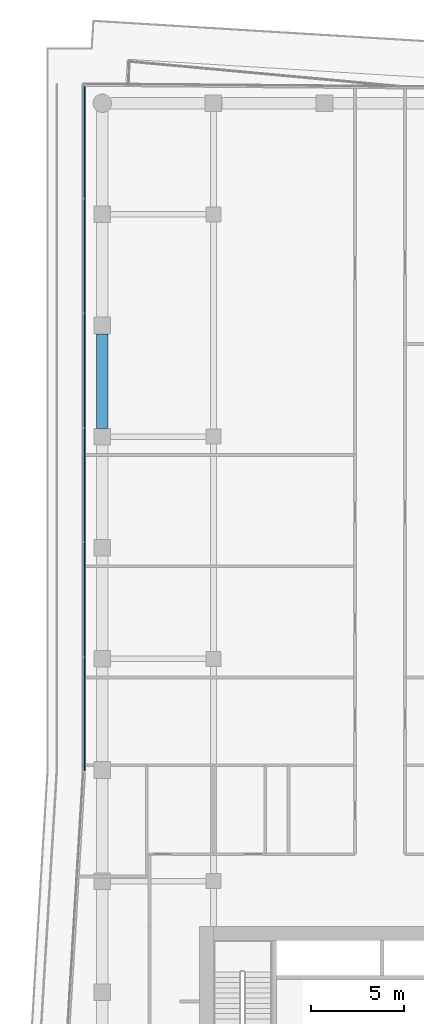
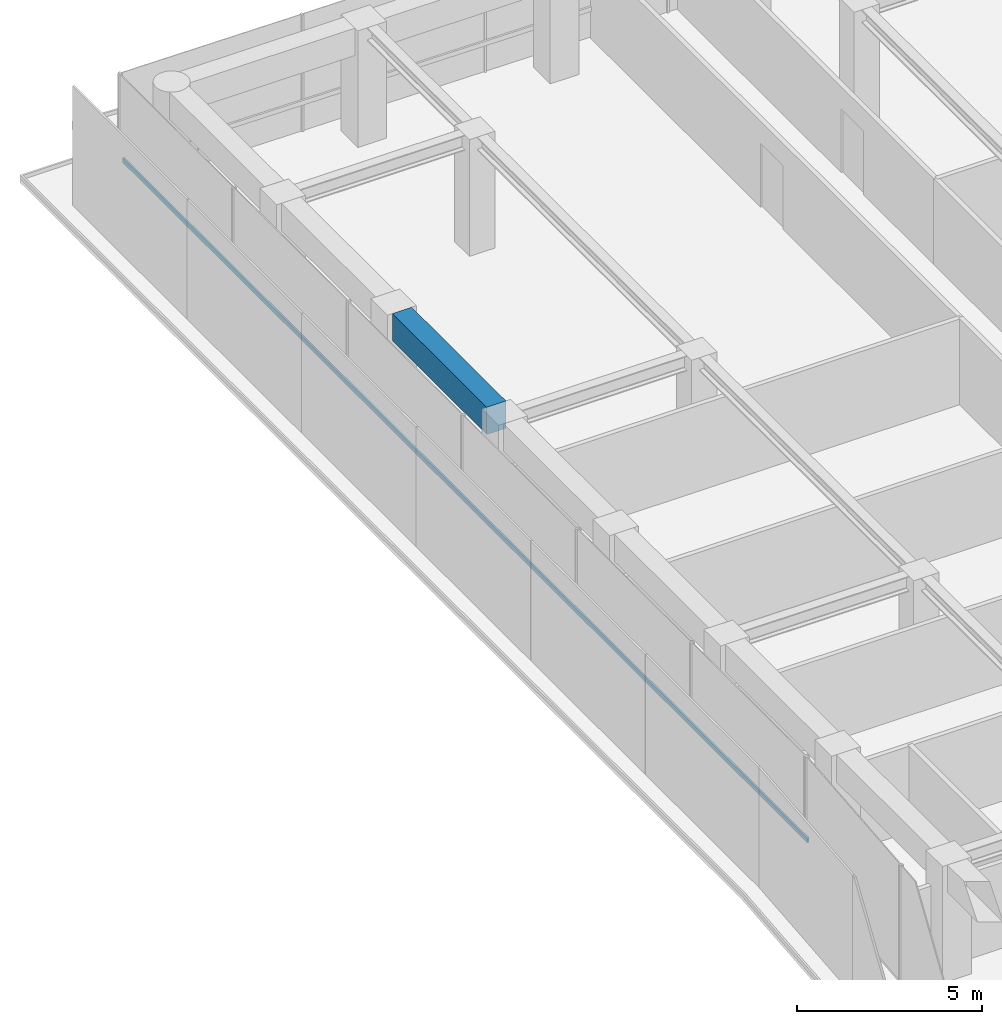
# One storey, part 13 of 24: 1 beam, 1 member, 1 element without a shape of its own.
"""IFC4 building model written with IfcOpenShell, lengths in metres."""

from ifc_helpers import new_model, si_unit, direction, frame, origin, origin_2d, place, context, subcontext, project, spatial, rectangle, extrude, material, layer, layer_set, material_profile, profile_set, type_object, element, aggregate, save


model = new_model("IFC4")

# Units and contexts
model_context = context("Model", 3, precision=1e-05, world=origin(), true_north=direction((0.0, 1.0)))
body_context = subcontext(model_context, "Body", "Model", "MODEL_VIEW")
ifc_project = project(units=[si_unit("LENGTHUNIT", "METRE"), si_unit("AREAUNIT", "SQUARE_METRE"), si_unit("VOLUMEUNIT", "CUBIC_METRE"), si_unit("PLANEANGLEUNIT", "RADIAN"), si_unit("MASSUNIT", "GRAM", prefix="KILO")], contexts=[model_context])

# Site, building, storey
site_placement = place(None, origin())
site = spatial("IfcSite", under=ifc_project, at=site_placement, CompositionType="ELEMENT")
building_placement = place(site_placement, origin())
building = spatial("IfcBuilding", under=site, at=building_placement, Name="Welwitschia Terrace Campus", CompositionType="ELEMENT")
storey_placement = place(building_placement, frame((0.0, 0.0, 125.60009765625)))
storey = spatial("IfcBuildingStorey", under=building, at=storey_placement, Name="L28", CompositionType="ELEMENT", Elevation=125.60009765625)

# Beam
ifc_material_1 = material(Name="Concrete C60/75", Category="concrete")
ifc_material_profile_1 = material_profile(ifc_material_1, rectangle(XDim=0.60009765625, YDim=0.89990234375, at=origin_2d()))
ifc_profile_set_1 = profile_set([ifc_material_profile_1], Name="Concrete C60/75")
beam_type = type_object("IfcBeamType", Name="Ring spandrel 600x900", PredefinedType="SPANDREL", material=ifc_profile_set_1)
beam_placement = place(storey_placement, frame((0.0, 57.549560546875, 3.39990234375), z_axis=(0.0, -1.0, 0.0), x_axis=(1.0, 0.0, 0.0)))
element("IfcBeam", 1, at=beam_placement, inside=storey, type_object=beam_type, Name="Spandrel SP2", PredefinedType="SPANDREL", context=body_context, shape_type="SweptSolid", body=[
    extrude(rectangle(XDim=0.60009765625, YDim=0.89990234375, at=origin_2d()), origin(), (0.0, 0.0, 1.0), 5.09912109375),
])

# Curtain wall, member
ifc_material_2 = material(Name="Bronze anodised aluminium", Category="aluminium")
ifc_layer = layer(ifc_material_2, 0.1201171875)
ifc_layer_set = layer_set([ifc_layer], Name="Bronze anodised aluminium")
curtain_wall_type = type_object("IfcCurtainWallType", Name="Curtain wall CW2 tower 6000", PredefinedType="NOTDEFINED", material=ifc_layer_set)
curtain_wall_placement = place(storey_placement, origin())
curtain_wall = element("IfcCurtainWall", 2, at=curtain_wall_placement, inside=storey, type_object=curtain_wall_type, Name="CW L28.12.0", PredefinedType="NOTDEFINED")
ifc_material_3 = material(Name="Bronze anodised aluminium", Category="aluminium")
ifc_material_profile_2 = material_profile(ifc_material_3, rectangle(XDim=0.06005859375, YDim=0.14990234375, at=origin_2d()))
ifc_profile_set_2 = profile_set([ifc_material_profile_2], Name="Bronze anodised aluminium")
member_type = type_object("IfcMemberType", Name="Transom 60x150", PredefinedType="USERDEFINED", material=ifc_profile_set_2)
member_placement = place(storey_placement, frame((-0.93994140625, 70.988525390625, 1.0), z_axis=(0.0, -1.0, 0.0), x_axis=(1.0, 0.0, 0.0)))
member = element("IfcMember", 3, at=member_placement, type_object=member_type, Name="Transom L28.12.0", ObjectType="TRANSOM", PredefinedType="USERDEFINED", context=body_context, shape_type="SweptSolid", body=[
    extrude(rectangle(XDim=0.06005859375, YDim=0.14990234375, at=origin_2d()), origin(), (0.0, 0.0, 1.0), 37.02392578125),
])
aggregate(curtain_wall, [member])

save(model, "model.ifc")
